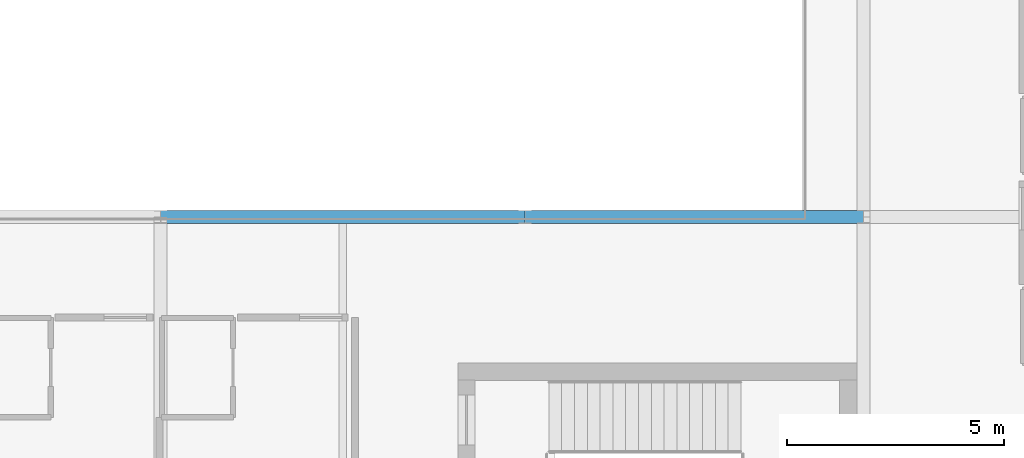
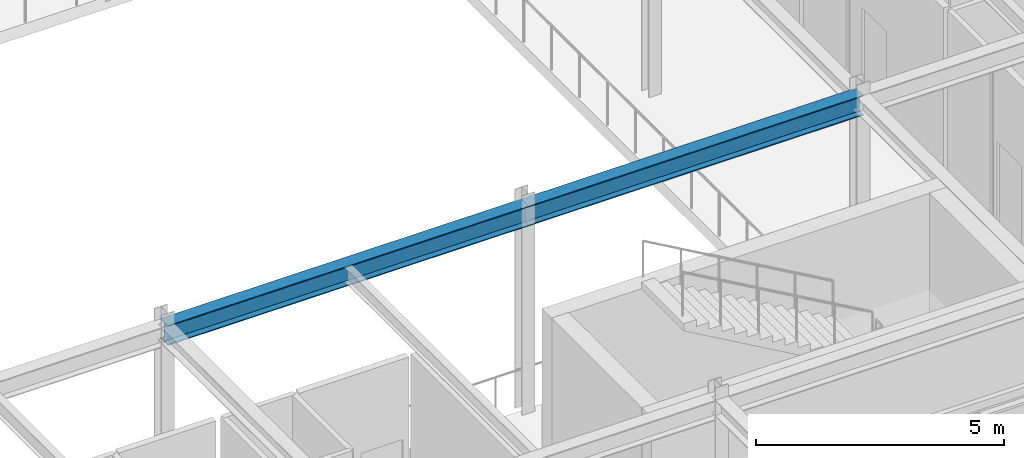
# One storey, part 80 of 139: 2 beams.
"""IFC4 building model written with IfcOpenShell, lengths in metres."""

from ifc_helpers import new_model, si_unit, direction, frame, origin, origin_2d, place, context, subcontext, project, spatial, i_section, extrude, material, material_profile, profile_set, type_object, element, save


model = new_model("IFC4")

# Units and contexts
model_context = context("Model", 3, precision=1e-05, world=origin(), true_north=direction((0.0, 1.0)))
body_context = subcontext(model_context, "Body", "Model", "MODEL_VIEW")
ifc_project = project(units=[si_unit("LENGTHUNIT", "METRE"), si_unit("AREAUNIT", "SQUARE_METRE"), si_unit("VOLUMEUNIT", "CUBIC_METRE"), si_unit("PLANEANGLEUNIT", "RADIAN"), si_unit("MASSUNIT", "GRAM", prefix="KILO")], contexts=[model_context])

# Site, building, storey
site_placement = place(None, origin())
site = spatial("IfcSite", under=ifc_project, at=site_placement, CompositionType="ELEMENT")
building_placement = place(site_placement, origin())
building = spatial("IfcBuilding", under=site, at=building_placement, Name="Zayran Congress Hotel", CompositionType="ELEMENT")
storey_placement = place(building_placement, frame((0.0, 0.0, 5.39990234375)))
storey = spatial("IfcBuildingStorey", under=building, at=storey_placement, Name="L01", CompositionType="ELEMENT", Elevation=5.39990234375)

# Beams
ifc_material = material(Name="Steel S355", Category="steel")
ifc_material_profile = material_profile(ifc_material, i_section(OverallWidth=0.300048828125, OverallDepth=0.489990234375, WebThickness=0.011962890625, FlangeThickness=0.02294921875, at=origin_2d()), Name="HEA 500")
ifc_profile_set = profile_set([ifc_material_profile], Name="Steel S355")
beam_type = type_object("IfcBeamType", Name="TP-BM-05", PredefinedType="BEAM", material=ifc_profile_set)
beam_1_placement = place(storey_placement, frame((168.0, 17.199951171875, 4.85498046875), z_axis=(1.0, 0.0, 0.0), x_axis=(0.0, 1.0, 0.0)))
element("IfcBeam", 1, at=beam_1_placement, inside=storey, type_object=beam_type, Name="BM-V3-L01-1123", PredefinedType="BEAM", context=body_context, shape_type="SweptSolid", body=[
    extrude(i_section(OverallWidth=0.300048828125, OverallDepth=0.489990234375, WebThickness=0.011962890625, FlangeThickness=0.02294921875, at=origin_2d()), origin(), (0.0, 0.0, 1.0), 8.39990234375),
])
beam_2_placement = place(storey_placement, frame((176.39990234375, 17.199951171875, 4.85498046875), z_axis=(1.0, 0.0, 0.0), x_axis=(0.0, 1.0, 0.0)))
element("IfcBeam", 2, at=beam_2_placement, inside=storey, type_object=beam_type, Name="BM-V3-L01-1124", PredefinedType="BEAM", context=body_context, shape_type="SweptSolid", body=[
    extrude(i_section(OverallWidth=0.300048828125, OverallDepth=0.489990234375, WebThickness=0.011962890625, FlangeThickness=0.02294921875, at=origin_2d()), origin(), (0.0, 0.0, 1.0), 7.800048828125),
])

save(model, "model.ifc")
